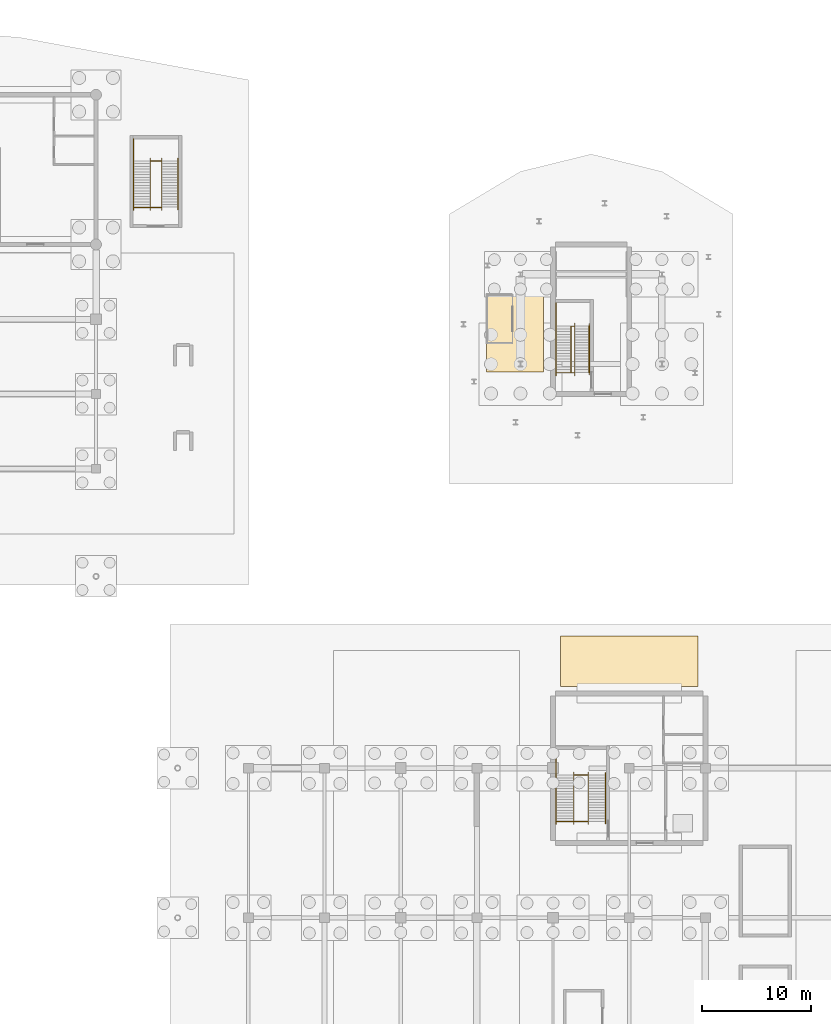
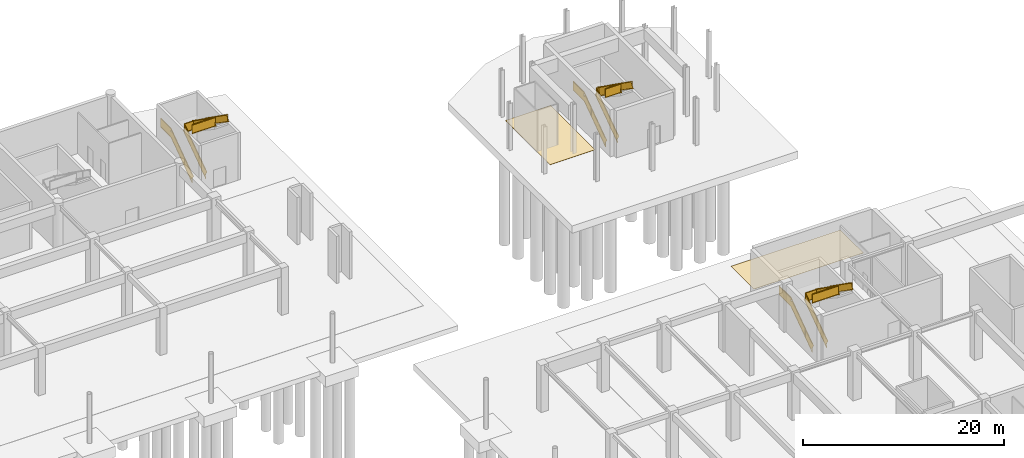
# One storey, part 61 of 62: 9 railings, 2 coverings.
"""IFC4 building model written with IfcOpenShell, lengths in metres."""

from ifc_helpers import new_model, si_unit, direction, frame, origin, origin_2d, place, context, subcontext, project, spatial, polyline, rectangle, outline, extrude, material, layer, layer_set, type_object, element, save


model = new_model("IFC4")

# Units and contexts
model_context = context("Model", 3, precision=1e-05, world=origin(), true_north=direction((0.0, 1.0)))
body_context = subcontext(model_context, "Body", "Model", "MODEL_VIEW")
ifc_project = project(units=[si_unit("LENGTHUNIT", "METRE"), si_unit("AREAUNIT", "SQUARE_METRE"), si_unit("VOLUMEUNIT", "CUBIC_METRE"), si_unit("PLANEANGLEUNIT", "RADIAN"), si_unit("MASSUNIT", "GRAM", prefix="KILO")], contexts=[model_context])

# Site, building, storey
site_placement = place(None, origin())
site = spatial("IfcSite", under=ifc_project, at=site_placement, CompositionType="ELEMENT")
building_placement = place(site_placement, origin())
building = spatial("IfcBuilding", under=site, at=building_placement, Name="Linyun Crest Stadium", CompositionType="ELEMENT")
storey_placement = place(building_placement, frame((0.0, 0.0, -6.0)))
storey = spatial("IfcBuildingStorey", under=building, at=storey_placement, Name="B1", CompositionType="ELEMENT", Elevation=-6.0)

# Coverings
ifc_material_1 = material(Name="Polymeric cushioned multi-sport athletic flooring")
ifc_layer = layer(ifc_material_1, 0.01806640625)
ifc_layer_set = layer_set([ifc_layer], Name="Polymeric cushioned multi-sport athletic flooring")
covering_type = type_object("IfcCoveringType", Name="FLR01", PredefinedType="FLOORING", material=ifc_layer_set)
covering_1_placement = place(storey_placement, origin())
element("IfcCovering", 1, at=covering_1_placement, inside=storey, type_object=covering_type, Name="Athletic flooring FLR01 64", PredefinedType="FLOORING", context=body_context, shape_type="SweptSolid", body=[
    extrude(outline(polyline([(70.699951171875, 50.89990234375), (83.300048828125, 50.89990234375), (83.300048828125, 55.5), (70.699951171875, 55.5), (70.699951171875, 50.89990234375)])), origin(), (0.0, 0.0, 1.0), 0.01806640625),
])
covering_2_placement = place(storey_placement, origin())
element("IfcCovering", 2, at=covering_2_placement, inside=storey, type_object=covering_type, Name="Athletic flooring FLR01 67", PredefinedType="FLOORING", context=body_context, shape_type="SweptSolid", body=[
    extrude(outline(polyline([(63.89990234375, 79.800048828125), (69.10009765625, 79.800048828125), (69.10009765625, 88.699951171875), (63.89990234375, 88.699951171875), (63.89990234375, 79.800048828125)])), origin(), (0.0, 0.0, 1.0), 0.01806640625),
])

# Railings
ifc_material_2 = material(Name="Painted steel stairwell safety guard", Category="steel")
railing_type_1 = type_object("IfcRailingType", Name="GR03", PredefinedType="GUARDRAIL", material=ifc_material_2)
railing_1_placement = place(storey_placement, frame((70.2548828125, 38.489990234375, 0.0)))
element("IfcRailing", 3, at=railing_1_placement, inside=storey, type_object=railing_type_1, Name="STR-06-B1 outer guard", PredefinedType="GUARDRAIL", context=body_context, shape_type="SweptSolid", body=[
    extrude(rectangle(XDim=0.06005859375, YDim=0.06005859375, at=origin_2d()), frame((0.0, 0.0, 1.090087890625), z_axis=(0.0, 0.816967863265, 0.576683197599), x_axis=(-1.0, 0.0, 0.0)), (0.0, 0.0, 1.0), 5.2021484375),
    extrude(rectangle(XDim=0.030029296875, YDim=1.0, at=origin_2d()), frame((0.0, 0.0, 0.56005859375), z_axis=(0.0, 0.816967863265, 0.576683197599), x_axis=(-1.0, 0.0, 0.0)), (0.0, 0.0, 1.0), 5.2021484375),
    extrude(rectangle(XDim=0.06005859375, YDim=0.06005859375, at=origin_2d()), frame((0.0, 0.0, 0.030029296875), z_axis=(0.0, 0.816967863265, 0.576683197599), x_axis=(-1.0, 0.0, 0.0)), (0.0, 0.0, 1.0), 5.2021484375),
    extrude(rectangle(XDim=0.06005859375, YDim=0.06005859375, at=origin_2d()), frame((0.0, 4.25, 4.090087890625), z_axis=(0.0, 1.0, 0.0), x_axis=(-1.0, 0.0, 0.0)), (0.0, 0.0, 1.0), 2.330078125),
    extrude(rectangle(XDim=0.030029296875, YDim=1.0, at=origin_2d()), frame((0.0, 4.25, 3.56005859375), z_axis=(0.0, 1.0, 0.0), x_axis=(-1.0, 0.0, 0.0)), (0.0, 0.0, 1.0), 2.330078125),
    extrude(rectangle(XDim=0.06005859375, YDim=0.06005859375, at=origin_2d()), frame((0.0, 4.25, 3.030029296875), z_axis=(0.0, 1.0, 0.0), x_axis=(-1.0, 0.0, 0.0)), (0.0, 0.0, 1.0), 2.330078125),
    extrude(rectangle(XDim=0.050048828125, YDim=0.050048828125, at=origin_2d()), origin(), (0.0, 0.0, 1.0), 1.1201171875),
    extrude(rectangle(XDim=0.050048828125, YDim=0.050048828125, at=origin_2d()), frame((0.0, 1.416748046875, 1.0)), (0.0, 0.0, 1.0), 1.1201171875),
    extrude(rectangle(XDim=0.050048828125, YDim=0.050048828125, at=origin_2d()), frame((0.0, 2.833251953125, 2.0)), (0.0, 0.0, 1.0), 1.1201171875),
    extrude(rectangle(XDim=0.050048828125, YDim=0.050048828125, at=origin_2d()), frame((0.0, 4.25, 3.0)), (0.0, 0.0, 1.0), 1.1201171875),
    extrude(rectangle(XDim=0.050048828125, YDim=0.050048828125, at=origin_2d()), frame((0.0, 5.4150390625, 3.0)), (0.0, 0.0, 1.0), 1.1201171875),
    extrude(rectangle(XDim=0.050048828125, YDim=0.050048828125, at=origin_2d()), frame((0.0, 6.580078125, 3.0)), (0.0, 0.0, 1.0), 1.1201171875),
])
railing_2_placement = place(storey_placement, frame((71.89501953125, 38.469970703125, 0.0)))
element("IfcRailing", 4, at=railing_2_placement, inside=storey, type_object=railing_type_1, Name="STR-06-B1 inner well guard", PredefinedType="GUARDRAIL", context=body_context, shape_type="SweptSolid", body=[
    extrude(rectangle(XDim=0.06005859375, YDim=0.06005859375, at=origin_2d()), frame((0.0, 0.0, 1.090087890625), z_axis=(0.0, 0.818241657069, 0.574874412926), x_axis=(-1.0, 0.0, 0.0)), (0.0, 0.0, 1.0), 5.218505859375),
    extrude(rectangle(XDim=0.030029296875, YDim=1.0, at=origin_2d()), frame((0.0, 0.0, 0.56005859375), z_axis=(0.0, 0.818241657069, 0.574874412926), x_axis=(-1.0, 0.0, 0.0)), (0.0, 0.0, 1.0), 5.218505859375),
    extrude(rectangle(XDim=0.06005859375, YDim=0.06005859375, at=origin_2d()), frame((0.0, 0.0, 0.030029296875), z_axis=(0.0, 0.818241657069, 0.574874412926), x_axis=(-1.0, 0.0, 0.0)), (0.0, 0.0, 1.0), 5.218505859375),
    extrude(rectangle(XDim=0.06005859375, YDim=0.06005859375, at=origin_2d()), frame((0.0, 4.27001953125, 4.090087890625), z_axis=(1.0, 0.0, 0.0), x_axis=(0.0, 1.0, 0.0)), (0.0, 0.0, 1.0), 1.3349609375),
    extrude(rectangle(XDim=0.030029296875, YDim=1.0, at=origin_2d()), frame((0.0, 4.27001953125, 3.56005859375), z_axis=(1.0, 0.0, 0.0), x_axis=(0.0, 1.0, 0.0)), (0.0, 0.0, 1.0), 1.3349609375),
    extrude(rectangle(XDim=0.06005859375, YDim=0.06005859375, at=origin_2d()), frame((0.0, 4.27001953125, 3.030029296875), z_axis=(1.0, 0.0, 0.0), x_axis=(0.0, 1.0, 0.0)), (0.0, 0.0, 1.0), 1.3349609375),
    extrude(rectangle(XDim=0.06005859375, YDim=0.06005859375, at=origin_2d()), frame((1.3349609375, 4.27001953125, 4.090087890625), z_axis=(0.0, -0.818241657069, 0.574874412926), x_axis=(1.0, 0.0, 0.0)), (0.0, 0.0, 1.0), 5.218505859375),
    extrude(rectangle(XDim=0.030029296875, YDim=1.0, at=origin_2d()), frame((1.3349609375, 4.27001953125, 3.56005859375), z_axis=(0.0, -0.818241657069, 0.574874412926), x_axis=(1.0, 0.0, 0.0)), (0.0, 0.0, 1.0), 5.218505859375),
    extrude(rectangle(XDim=0.06005859375, YDim=0.06005859375, at=origin_2d()), frame((1.3349609375, 4.27001953125, 3.030029296875), z_axis=(0.0, -0.818241657069, 0.574874412926), x_axis=(1.0, 0.0, 0.0)), (0.0, 0.0, 1.0), 5.218505859375),
    extrude(rectangle(XDim=0.06005859375, YDim=0.06005859375, at=origin_2d()), frame((1.3349609375, 0.0, 7.090087890625), z_axis=(-1.0, 0.0, 0.0), x_axis=(0.0, -1.0, 0.0)), (0.0, 0.0, 1.0), 2.98486328125),
    extrude(rectangle(XDim=0.030029296875, YDim=1.0, at=origin_2d()), frame((1.3349609375, 0.0, 6.56005859375), z_axis=(-1.0, 0.0, 0.0), x_axis=(0.0, -1.0, 0.0)), (0.0, 0.0, 1.0), 2.98486328125),
    extrude(rectangle(XDim=0.06005859375, YDim=0.06005859375, at=origin_2d()), frame((1.3349609375, 0.0, 6.030029296875), z_axis=(-1.0, 0.0, 0.0), x_axis=(0.0, -1.0, 0.0)), (0.0, 0.0, 1.0), 2.98486328125),
    extrude(rectangle(XDim=0.050048828125, YDim=0.050048828125, at=origin_2d()), origin(), (0.0, 0.0, 1.0), 1.1201171875),
    extrude(rectangle(XDim=0.050048828125, YDim=0.050048828125, at=origin_2d()), frame((0.0, 1.42333984375, 1.0)), (0.0, 0.0, 1.0), 1.1201171875),
    extrude(rectangle(XDim=0.050048828125, YDim=0.050048828125, at=origin_2d()), frame((0.0, 2.8466796875, 2.0)), (0.0, 0.0, 1.0), 1.1201171875),
    extrude(rectangle(XDim=0.050048828125, YDim=0.050048828125, at=origin_2d()), frame((0.0, 4.27001953125, 3.0)), (0.0, 0.0, 1.0), 1.1201171875),
    extrude(rectangle(XDim=0.050048828125, YDim=0.050048828125, at=origin_2d()), frame((1.3349609375, 4.27001953125, 3.0)), (0.0, 0.0, 1.0), 1.1201171875),
    extrude(rectangle(XDim=0.050048828125, YDim=0.050048828125, at=origin_2d()), frame((1.3349609375, 2.8466796875, 4.0)), (0.0, 0.0, 1.0), 1.1201171875),
    extrude(rectangle(XDim=0.050048828125, YDim=0.050048828125, at=origin_2d()), frame((1.3349609375, 1.42333984375, 5.0)), (0.0, 0.0, 1.0), 1.1201171875),
    extrude(rectangle(XDim=0.050048828125, YDim=0.050048828125, at=origin_2d()), frame((1.3349609375, 0.0, 6.0)), (0.0, 0.0, 1.0), 1.1201171875),
    extrude(rectangle(XDim=0.050048828125, YDim=0.050048828125, at=origin_2d()), frame((-0.157470703125, 0.0, 6.0)), (0.0, 0.0, 1.0), 1.1201171875),
    extrude(rectangle(XDim=0.050048828125, YDim=0.050048828125, at=origin_2d()), frame((-1.64990234375, 0.0, 6.0)), (0.0, 0.0, 1.0), 1.1201171875),
])
railing_3_placement = place(storey_placement, frame((70.2548828125, 79.739990234375, 0.0)))
element("IfcRailing", 5, at=railing_3_placement, inside=storey, type_object=railing_type_1, Name="STR-12-B1 outer guard", PredefinedType="GUARDRAIL", context=body_context, shape_type="SweptSolid", body=[
    extrude(rectangle(XDim=0.06005859375, YDim=0.06005859375, at=origin_2d()), frame((0.0, 0.0, 1.090087890625), z_axis=(0.0, 0.816967863265, 0.576683197599), x_axis=(-1.0, 0.0, 0.0)), (0.0, 0.0, 1.0), 5.2021484375),
    extrude(rectangle(XDim=0.030029296875, YDim=1.0, at=origin_2d()), frame((0.0, 0.0, 0.56005859375), z_axis=(0.0, 0.816967863265, 0.576683197599), x_axis=(-1.0, 0.0, 0.0)), (0.0, 0.0, 1.0), 5.2021484375),
    extrude(rectangle(XDim=0.06005859375, YDim=0.06005859375, at=origin_2d()), frame((0.0, 0.0, 0.030029296875), z_axis=(0.0, 0.816967863265, 0.576683197599), x_axis=(-1.0, 0.0, 0.0)), (0.0, 0.0, 1.0), 5.2021484375),
    extrude(rectangle(XDim=0.06005859375, YDim=0.06005859375, at=origin_2d()), frame((0.0, 4.25, 4.090087890625), z_axis=(0.0, 1.0, 0.0), x_axis=(-1.0, 0.0, 0.0)), (0.0, 0.0, 1.0), 2.130126953125),
    extrude(rectangle(XDim=0.030029296875, YDim=1.0, at=origin_2d()), frame((0.0, 4.25, 3.56005859375), z_axis=(0.0, 1.0, 0.0), x_axis=(-1.0, 0.0, 0.0)), (0.0, 0.0, 1.0), 2.130126953125),
    extrude(rectangle(XDim=0.06005859375, YDim=0.06005859375, at=origin_2d()), frame((0.0, 4.25, 3.030029296875), z_axis=(0.0, 1.0, 0.0), x_axis=(-1.0, 0.0, 0.0)), (0.0, 0.0, 1.0), 2.130126953125),
    extrude(rectangle(XDim=0.050048828125, YDim=0.050048828125, at=origin_2d()), origin(), (0.0, 0.0, 1.0), 1.1201171875),
    extrude(rectangle(XDim=0.050048828125, YDim=0.050048828125, at=origin_2d()), frame((0.0, 1.416748046875, 1.0)), (0.0, 0.0, 1.0), 1.1201171875),
    extrude(rectangle(XDim=0.050048828125, YDim=0.050048828125, at=origin_2d()), frame((0.0, 2.833251953125, 2.0)), (0.0, 0.0, 1.0), 1.1201171875),
    extrude(rectangle(XDim=0.050048828125, YDim=0.050048828125, at=origin_2d()), frame((0.0, 4.25, 3.0)), (0.0, 0.0, 1.0), 1.1201171875),
    extrude(rectangle(XDim=0.050048828125, YDim=0.050048828125, at=origin_2d()), frame((0.0, 5.31494140625, 3.0)), (0.0, 0.0, 1.0), 1.1201171875),
    extrude(rectangle(XDim=0.050048828125, YDim=0.050048828125, at=origin_2d()), frame((0.0, 6.380126953125, 3.0)), (0.0, 0.0, 1.0), 1.1201171875),
])
railing_4_placement = place(storey_placement, frame((71.64501953125, 79.719970703125, 0.0)))
element("IfcRailing", 6, at=railing_4_placement, inside=storey, type_object=railing_type_1, Name="STR-12-B1 inner well guard", PredefinedType="GUARDRAIL", context=body_context, shape_type="SweptSolid", body=[
    extrude(rectangle(XDim=0.06005859375, YDim=0.06005859375, at=origin_2d()), frame((0.0, 0.0, 1.090087890625), z_axis=(0.0, 0.818241657069, 0.574874412926), x_axis=(-1.0, 0.0, 0.0)), (0.0, 0.0, 1.0), 5.218505859375),
    extrude(rectangle(XDim=0.030029296875, YDim=1.0, at=origin_2d()), frame((0.0, 0.0, 0.56005859375), z_axis=(0.0, 0.818241657069, 0.574874412926), x_axis=(-1.0, 0.0, 0.0)), (0.0, 0.0, 1.0), 5.218505859375),
    extrude(rectangle(XDim=0.06005859375, YDim=0.06005859375, at=origin_2d()), frame((0.0, 0.0, 0.030029296875), z_axis=(0.0, 0.818241657069, 0.574874412926), x_axis=(-1.0, 0.0, 0.0)), (0.0, 0.0, 1.0), 5.218505859375),
    extrude(rectangle(XDim=0.06005859375, YDim=0.06005859375, at=origin_2d()), frame((0.0, 4.27001953125, 4.090087890625), z_axis=(1.0, 0.0, 0.0), x_axis=(0.0, 1.0, 0.0)), (0.0, 0.0, 1.0), 0.3349609375),
    extrude(rectangle(XDim=0.030029296875, YDim=1.0, at=origin_2d()), frame((0.0, 4.27001953125, 3.56005859375), z_axis=(1.0, 0.0, 0.0), x_axis=(0.0, 1.0, 0.0)), (0.0, 0.0, 1.0), 0.3349609375),
    extrude(rectangle(XDim=0.06005859375, YDim=0.06005859375, at=origin_2d()), frame((0.0, 4.27001953125, 3.030029296875), z_axis=(1.0, 0.0, 0.0), x_axis=(0.0, 1.0, 0.0)), (0.0, 0.0, 1.0), 0.3349609375),
    extrude(rectangle(XDim=0.06005859375, YDim=0.06005859375, at=origin_2d()), frame((0.3349609375, 4.27001953125, 4.090087890625), z_axis=(0.0, -0.818241657069, 0.574874412926), x_axis=(1.0, 0.0, 0.0)), (0.0, 0.0, 1.0), 5.218505859375),
    extrude(rectangle(XDim=0.030029296875, YDim=1.0, at=origin_2d()), frame((0.3349609375, 4.27001953125, 3.56005859375), z_axis=(0.0, -0.818241657069, 0.574874412926), x_axis=(1.0, 0.0, 0.0)), (0.0, 0.0, 1.0), 5.218505859375),
    extrude(rectangle(XDim=0.06005859375, YDim=0.06005859375, at=origin_2d()), frame((0.3349609375, 4.27001953125, 3.030029296875), z_axis=(0.0, -0.818241657069, 0.574874412926), x_axis=(1.0, 0.0, 0.0)), (0.0, 0.0, 1.0), 5.218505859375),
    extrude(rectangle(XDim=0.06005859375, YDim=0.06005859375, at=origin_2d()), frame((0.3349609375, 0.0, 7.090087890625), z_axis=(-1.0, 0.0, 0.0), x_axis=(0.0, -1.0, 0.0)), (0.0, 0.0, 1.0), 1.73486328125),
    extrude(rectangle(XDim=0.030029296875, YDim=1.0, at=origin_2d()), frame((0.3349609375, 0.0, 6.56005859375), z_axis=(-1.0, 0.0, 0.0), x_axis=(0.0, -1.0, 0.0)), (0.0, 0.0, 1.0), 1.73486328125),
    extrude(rectangle(XDim=0.06005859375, YDim=0.06005859375, at=origin_2d()), frame((0.3349609375, 0.0, 6.030029296875), z_axis=(-1.0, 0.0, 0.0), x_axis=(0.0, -1.0, 0.0)), (0.0, 0.0, 1.0), 1.73486328125),
    extrude(rectangle(XDim=0.050048828125, YDim=0.050048828125, at=origin_2d()), origin(), (0.0, 0.0, 1.0), 1.1201171875),
    extrude(rectangle(XDim=0.050048828125, YDim=0.050048828125, at=origin_2d()), frame((0.0, 1.42333984375, 1.0)), (0.0, 0.0, 1.0), 1.1201171875),
    extrude(rectangle(XDim=0.050048828125, YDim=0.050048828125, at=origin_2d()), frame((0.0, 2.8466796875, 2.0)), (0.0, 0.0, 1.0), 1.1201171875),
    extrude(rectangle(XDim=0.050048828125, YDim=0.050048828125, at=origin_2d()), frame((0.0, 4.27001953125, 3.0)), (0.0, 0.0, 1.0), 1.1201171875),
    extrude(rectangle(XDim=0.050048828125, YDim=0.050048828125, at=origin_2d()), frame((0.3349609375, 4.27001953125, 3.0)), (0.0, 0.0, 1.0), 1.1201171875),
    extrude(rectangle(XDim=0.050048828125, YDim=0.050048828125, at=origin_2d()), frame((0.3349609375, 2.8466796875, 4.0)), (0.0, 0.0, 1.0), 1.1201171875),
    extrude(rectangle(XDim=0.050048828125, YDim=0.050048828125, at=origin_2d()), frame((0.3349609375, 1.42333984375, 5.0)), (0.0, 0.0, 1.0), 1.1201171875),
    extrude(rectangle(XDim=0.050048828125, YDim=0.050048828125, at=origin_2d()), frame((0.3349609375, 0.0, 6.0)), (0.0, 0.0, 1.0), 1.1201171875),
    extrude(rectangle(XDim=0.050048828125, YDim=0.050048828125, at=origin_2d()), frame((-1.39990234375, 0.0, 6.0)), (0.0, 0.0, 1.0), 1.1201171875),
])
railing_5_placement = place(storey_placement, frame((31.429931640625, 94.919921875, 0.0)))
element("IfcRailing", 7, at=railing_5_placement, inside=storey, type_object=railing_type_1, Name="STR-26-B1 outer guard", PredefinedType="GUARDRAIL", context=body_context, shape_type="SweptSolid", body=[
    extrude(rectangle(XDim=0.06005859375, YDim=0.06005859375, at=origin_2d()), frame((0.0, 0.0, 1.090087890625), z_axis=(0.0, 0.816967863265, 0.576683197599), x_axis=(-1.0, 0.0, 0.0)), (0.0, 0.0, 1.0), 5.2021484375),
    extrude(rectangle(XDim=0.030029296875, YDim=1.0, at=origin_2d()), frame((0.0, 0.0, 0.56005859375), z_axis=(0.0, 0.816967863265, 0.576683197599), x_axis=(-1.0, 0.0, 0.0)), (0.0, 0.0, 1.0), 5.2021484375),
    extrude(rectangle(XDim=0.06005859375, YDim=0.06005859375, at=origin_2d()), frame((0.0, 0.0, 0.030029296875), z_axis=(0.0, 0.816967863265, 0.576683197599), x_axis=(-1.0, 0.0, 0.0)), (0.0, 0.0, 1.0), 5.2021484375),
    extrude(rectangle(XDim=0.06005859375, YDim=0.06005859375, at=origin_2d()), frame((0.0, 4.25, 4.090087890625), z_axis=(0.0, 1.0, 0.0), x_axis=(-1.0, 0.0, 0.0)), (0.0, 0.0, 1.0), 2.0),
    extrude(rectangle(XDim=0.030029296875, YDim=1.0, at=origin_2d()), frame((0.0, 4.25, 3.56005859375), z_axis=(0.0, 1.0, 0.0), x_axis=(-1.0, 0.0, 0.0)), (0.0, 0.0, 1.0), 2.0),
    extrude(rectangle(XDim=0.06005859375, YDim=0.06005859375, at=origin_2d()), frame((0.0, 4.25, 3.030029296875), z_axis=(0.0, 1.0, 0.0), x_axis=(-1.0, 0.0, 0.0)), (0.0, 0.0, 1.0), 2.0),
    extrude(rectangle(XDim=0.050048828125, YDim=0.050048828125, at=origin_2d()), origin(), (0.0, 0.0, 1.0), 1.1201171875),
    extrude(rectangle(XDim=0.050048828125, YDim=0.050048828125, at=origin_2d()), frame((0.0, 1.416748046875, 1.0)), (0.0, 0.0, 1.0), 1.1201171875),
    extrude(rectangle(XDim=0.050048828125, YDim=0.050048828125, at=origin_2d()), frame((0.0, 2.833251953125, 2.0)), (0.0, 0.0, 1.0), 1.1201171875),
    extrude(rectangle(XDim=0.050048828125, YDim=0.050048828125, at=origin_2d()), frame((0.0, 4.25, 3.0)), (0.0, 0.0, 1.0), 1.1201171875),
    extrude(rectangle(XDim=0.050048828125, YDim=0.050048828125, at=origin_2d()), frame((0.0, 6.25, 3.0)), (0.0, 0.0, 1.0), 1.1201171875),
])
railing_6_placement = place(storey_placement, frame((32.969970703125, 94.89990234375, 0.0)))
element("IfcRailing", 8, at=railing_6_placement, inside=storey, type_object=railing_type_1, Name="STR-26-B1 inner well guard", PredefinedType="GUARDRAIL", context=body_context, shape_type="SweptSolid", body=[
    extrude(rectangle(XDim=0.06005859375, YDim=0.06005859375, at=origin_2d()), frame((0.0, 0.0, 1.090087890625), z_axis=(0.0, 0.818241657069, 0.574874412926), x_axis=(-1.0, 0.0, 0.0)), (0.0, 0.0, 1.0), 5.218505859375),
    extrude(rectangle(XDim=0.030029296875, YDim=1.0, at=origin_2d()), frame((0.0, 0.0, 0.56005859375), z_axis=(0.0, 0.818241657069, 0.574874412926), x_axis=(-1.0, 0.0, 0.0)), (0.0, 0.0, 1.0), 5.218505859375),
    extrude(rectangle(XDim=0.06005859375, YDim=0.06005859375, at=origin_2d()), frame((0.0, 0.0, 0.030029296875), z_axis=(0.0, 0.818241657069, 0.574874412926), x_axis=(-1.0, 0.0, 0.0)), (0.0, 0.0, 1.0), 5.218505859375),
    extrude(rectangle(XDim=0.06005859375, YDim=0.06005859375, at=origin_2d()), frame((0.0, 4.27001953125, 4.090087890625), z_axis=(1.0, 0.0, 0.0), x_axis=(0.0, 1.0, 0.0)), (0.0, 0.0, 1.0), 1.06005859375),
    extrude(rectangle(XDim=0.030029296875, YDim=1.0, at=origin_2d()), frame((0.0, 4.27001953125, 3.56005859375), z_axis=(1.0, 0.0, 0.0), x_axis=(0.0, 1.0, 0.0)), (0.0, 0.0, 1.0), 1.06005859375),
    extrude(rectangle(XDim=0.06005859375, YDim=0.06005859375, at=origin_2d()), frame((0.0, 4.27001953125, 3.030029296875), z_axis=(1.0, 0.0, 0.0), x_axis=(0.0, 1.0, 0.0)), (0.0, 0.0, 1.0), 1.06005859375),
    extrude(rectangle(XDim=0.06005859375, YDim=0.06005859375, at=origin_2d()), frame((1.06005859375, 4.27001953125, 4.090087890625), z_axis=(0.0, -0.818241657069, 0.574874412926), x_axis=(1.0, 0.0, 0.0)), (0.0, 0.0, 1.0), 5.218505859375),
    extrude(rectangle(XDim=0.030029296875, YDim=1.0, at=origin_2d()), frame((1.06005859375, 4.27001953125, 3.56005859375), z_axis=(0.0, -0.818241657069, 0.574874412926), x_axis=(1.0, 0.0, 0.0)), (0.0, 0.0, 1.0), 5.218505859375),
    extrude(rectangle(XDim=0.06005859375, YDim=0.06005859375, at=origin_2d()), frame((1.06005859375, 4.27001953125, 3.030029296875), z_axis=(0.0, -0.818241657069, 0.574874412926), x_axis=(1.0, 0.0, 0.0)), (0.0, 0.0, 1.0), 5.218505859375),
    extrude(rectangle(XDim=0.06005859375, YDim=0.06005859375, at=origin_2d()), frame((1.06005859375, 0.0, 7.090087890625), z_axis=(-1.0, 0.0, 0.0), x_axis=(0.0, -1.0, 0.0)), (0.0, 0.0, 1.0), 2.610107421875),
    extrude(rectangle(XDim=0.030029296875, YDim=1.0, at=origin_2d()), frame((1.06005859375, 0.0, 6.56005859375), z_axis=(-1.0, 0.0, 0.0), x_axis=(0.0, -1.0, 0.0)), (0.0, 0.0, 1.0), 2.610107421875),
    extrude(rectangle(XDim=0.06005859375, YDim=0.06005859375, at=origin_2d()), frame((1.06005859375, 0.0, 6.030029296875), z_axis=(-1.0, 0.0, 0.0), x_axis=(0.0, -1.0, 0.0)), (0.0, 0.0, 1.0), 2.610107421875),
    extrude(rectangle(XDim=0.050048828125, YDim=0.050048828125, at=origin_2d()), origin(), (0.0, 0.0, 1.0), 1.1201171875),
    extrude(rectangle(XDim=0.050048828125, YDim=0.050048828125, at=origin_2d()), frame((0.0, 1.42333984375, 1.0)), (0.0, 0.0, 1.0), 1.1201171875),
    extrude(rectangle(XDim=0.050048828125, YDim=0.050048828125, at=origin_2d()), frame((0.0, 2.8466796875, 2.0)), (0.0, 0.0, 1.0), 1.1201171875),
    extrude(rectangle(XDim=0.050048828125, YDim=0.050048828125, at=origin_2d()), frame((0.0, 4.27001953125, 3.0)), (0.0, 0.0, 1.0), 1.1201171875),
    extrude(rectangle(XDim=0.050048828125, YDim=0.050048828125, at=origin_2d()), frame((1.06005859375, 4.27001953125, 3.0)), (0.0, 0.0, 1.0), 1.1201171875),
    extrude(rectangle(XDim=0.050048828125, YDim=0.050048828125, at=origin_2d()), frame((1.06005859375, 2.8466796875, 4.0)), (0.0, 0.0, 1.0), 1.1201171875),
    extrude(rectangle(XDim=0.050048828125, YDim=0.050048828125, at=origin_2d()), frame((1.06005859375, 1.42333984375, 5.0)), (0.0, 0.0, 1.0), 1.1201171875),
    extrude(rectangle(XDim=0.050048828125, YDim=0.050048828125, at=origin_2d()), frame((1.06005859375, 0.0, 6.0)), (0.0, 0.0, 1.0), 1.1201171875),
    extrude(rectangle(XDim=0.050048828125, YDim=0.050048828125, at=origin_2d()), frame((-0.2451171875, 0.0, 6.0)), (0.0, 0.0, 1.0), 1.1201171875),
    extrude(rectangle(XDim=0.050048828125, YDim=0.050048828125, at=origin_2d()), frame((-1.550048828125, 0.0, 6.0)), (0.0, 0.0, 1.0), 1.1201171875),
])
ifc_material_3 = material(Name="Brushed stainless steel tubular handrail", Category="steel")
railing_type_2 = type_object("IfcRailingType", Name="HR01", PredefinedType="HANDRAIL", material=ifc_material_3)
for number, where, name in (
    (9, (74.820068359375, 42.739990234375, 3.0), "STR-06-B1 handrail"),
    (10, (73.320068359375, 83.989990234375, 3.0), "STR-12-B1 handrail"),
    (11, (35.52001953125, 99.169921875, 3.0), "STR-26-B1 handrail"),
):
    element("IfcRailing", number, at=place(storey_placement, frame(where)), inside=storey, type_object=railing_type_2, Name=name, PredefinedType="HANDRAIL", context=body_context, shape_type="SweptSolid", body=[
        extrude(rectangle(XDim=0.06005859375, YDim=0.06005859375, at=origin_2d()), frame((0.0, 0.0, 0.889892578125), z_axis=(0.0, -0.816967863265, 0.576683197599), x_axis=(1.0, 0.0, 0.0)), (0.0, 0.0, 1.0), 5.2021484375),
        extrude(rectangle(XDim=0.030029296875, YDim=0.7998046875, at=origin_2d()), frame((0.0, 0.0, 0.4599609375), z_axis=(0.0, -0.816967863265, 0.576683197599), x_axis=(1.0, 0.0, 0.0)), (0.0, 0.0, 1.0), 5.2021484375),
        extrude(rectangle(XDim=0.06005859375, YDim=0.06005859375, at=origin_2d()), frame((0.0, 0.0, 0.030029296875), z_axis=(0.0, -0.816967863265, 0.576683197599), x_axis=(1.0, 0.0, 0.0)), (0.0, 0.0, 1.0), 5.2021484375),
        extrude(rectangle(XDim=0.050048828125, YDim=0.050048828125, at=origin_2d()), origin(), (0.0, 0.0, 1.0), 0.919921875),
        extrude(rectangle(XDim=0.050048828125, YDim=0.050048828125, at=origin_2d()), frame((0.0, -1.416748046875, 1.0)), (0.0, 0.0, 1.0), 0.919921875),
        extrude(rectangle(XDim=0.050048828125, YDim=0.050048828125, at=origin_2d()), frame((0.0, -2.833251953125, 2.0)), (0.0, 0.0, 1.0), 0.919921875),
        extrude(rectangle(XDim=0.050048828125, YDim=0.050048828125, at=origin_2d()), frame((0.0, -4.25, 3.0)), (0.0, 0.0, 1.0), 0.919921875),
    ])

save(model, "model.ifc")
